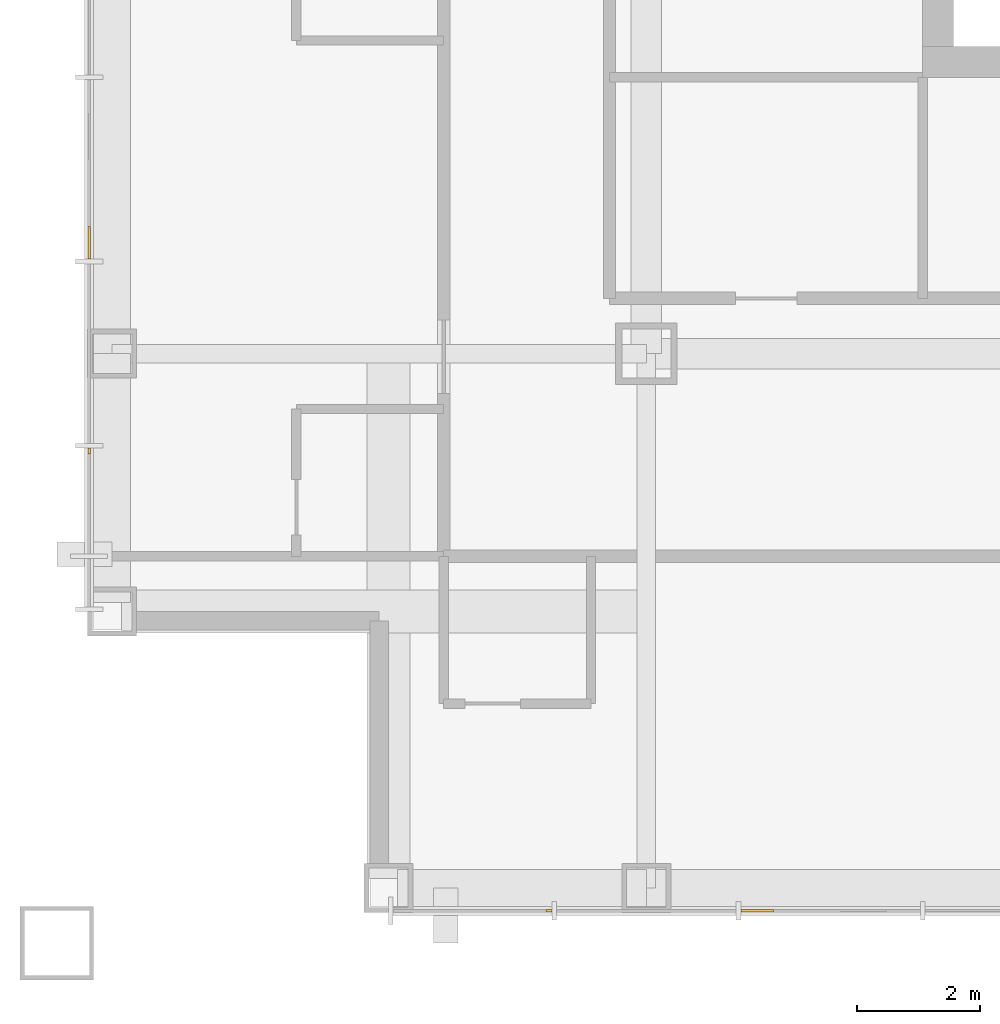
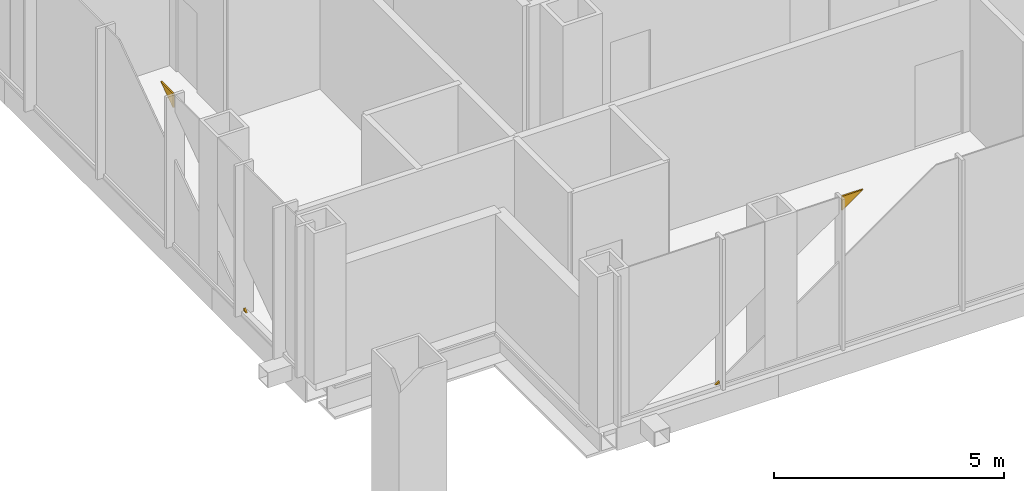
# One storey, part 12 of 15: 4 coverings.
"""IFC4 building model written with IfcOpenShell, lengths in metres."""

import ifcopenshell
import ifcopenshell.guid

model = None  # the IFC model being written
_history = None  # IfcOwnerHistory: only IFC2X3 demands one
_inside = {}  # id of a spatial element -> (the spatial element, [elements in it])
_under = {}  # id of a project, library or spatial element -> (it, [spatial elements below it])
_declared = {}  # id of a project -> (the project, [libraries it declares])
_typed = {}  # id of a type object -> (the type object, [elements of that type])
_made_of = {}  # id of a material, layer set ... -> (it, [elements and type objects made of it])


def new_model(schema):
    """Start an empty IFC model of exactly this schema.

    Asked for "IFC4X3", IfcOpenShell would pick the latest addendum, in which some entities
    have other attributes; the version numbers below select the first issue.
    IFC2X3 requires an IfcOwnerHistory on every rooted entity: one is made here for all.
    """
    global model, _history
    if schema == "IFC4X3":
        model = ifcopenshell.file(schema_version=(4, 3, 0, 0))
    else:
        model = ifcopenshell.file(schema=schema)
    _inside.clear()
    _under.clear()
    _declared.clear()
    _typed.clear()
    _made_of.clear()
    _history = None
    if model.schema == "IFC2X3":
        org = make("IfcOrganization", Name="unknown")
        user = make(
            "IfcPersonAndOrganization",
            ThePerson=make("IfcPerson", FamilyName="unknown"),
            TheOrganization=org,
        )
        app = make(
            "IfcApplication",
            ApplicationDeveloper=org,
            Version="unknown",
            ApplicationFullName="unknown",
            ApplicationIdentifier="unknown",
        )
        _history = make(
            "IfcOwnerHistory",
            OwningUser=user,
            OwningApplication=app,
            ChangeAction="ADDED",
            CreationDate=0,
        )
    return model


def make(cls, **values):
    """One entity of the class cls with the attributes given. An attribute that is None is left unset."""
    return model.create_entity(
        cls, **{name: value for name, value in values.items() if value is not None}
    )


def rooted(cls, **values):
    """An entity with a GlobalId (a new one), such as an element, a storey or a relation."""
    return make(cls, GlobalId=ifcopenshell.guid.new(), OwnerHistory=_history, **values)


def si_unit(unit_type, name, prefix=None):
    """IfcSIUnit, for example si_unit("LENGTHUNIT", "METRE", prefix="MILLI")."""
    return make("IfcSIUnit", UnitType=unit_type, Prefix=prefix, Name=name)


def assignment(units):
    """IfcUnitAssignment: the units of a project."""
    return None if units is None else make("IfcUnitAssignment", Units=units)


def point(xyz):
    """IfcCartesianPoint."""
    return None if xyz is None else make("IfcCartesianPoint", Coordinates=xyz)


def direction(xyz):
    """IfcDirection."""
    return None if xyz is None else make("IfcDirection", DirectionRatios=xyz)


def frame(location, z_axis=None, x_axis=None):
    """IfcAxis2Placement3D, a coordinate frame: its origin and axes. An axis left out is left unset."""
    return make(
        "IfcAxis2Placement3D",
        Location=point(location),
        Axis=direction(z_axis),
        RefDirection=direction(x_axis),
    )


def origin():
    """The frame at (0, 0, 0) with its axes left unset."""
    return frame((0.0, 0.0, 0.0))


def place(relative_to, where):
    """IfcLocalPlacement: puts the frame where relative to a parent placement (None: the world)."""
    return make(
        "IfcLocalPlacement", PlacementRelTo=relative_to, RelativePlacement=where
    )


def context(
    kind, dimensions, precision=None, world=None, true_north=None, identifier=None
):
    """IfcGeometricRepresentationContext, for example the 3D "Model" context."""
    return make(
        "IfcGeometricRepresentationContext",
        ContextIdentifier=identifier,
        ContextType=kind,
        CoordinateSpaceDimension=dimensions,
        Precision=precision,
        WorldCoordinateSystem=world,
        TrueNorth=true_north,
    )


def subcontext(parent, identifier, kind, view, scale=None):
    """IfcGeometricRepresentationSubContext, for example "Body" below "Model"."""
    return make(
        "IfcGeometricRepresentationSubContext",
        ContextIdentifier=identifier,
        ContextType=kind,
        ParentContext=parent,
        TargetScale=scale,
        TargetView=view,
    )


def project(units=None, contexts=None):
    """IfcProject with its units and contexts."""
    return rooted(
        "IfcProject",
        Name="project",
        RepresentationContexts=contexts,
        UnitsInContext=assignment(units),
    )


def spatial(cls, under=None, at=None, **own):
    """A site, building, storey or space (cls), placed at a placement, below another one or the project."""
    s = rooted(cls, ObjectPlacement=at, **own)
    if under is not None:
        _under.setdefault(under.id(), (under, []))[1].append(s)
    return s


def polyline(points):
    """IfcPolyline through the points."""
    return make("IfcPolyline", Points=[point(p) for p in points])


def outline(outer, holes=None, kind="AREA"):
    """IfcArbitraryClosedProfileDef: a profile drawn as a closed curve; with holes, ...WithVoids."""
    if holes is None:
        return make("IfcArbitraryClosedProfileDef", ProfileType=kind, OuterCurve=outer)
    return make(
        "IfcArbitraryProfileDefWithVoids",
        ProfileType=kind,
        OuterCurve=outer,
        InnerCurves=holes,
    )


def extrude(swept, where, along, depth):
    """IfcExtrudedAreaSolid: the profile swept, set in the frame where, extruded along a direction by depth."""
    return make(
        "IfcExtrudedAreaSolid",
        SweptArea=swept,
        Position=where,
        ExtrudedDirection=direction(along),
        Depth=depth,
    )


def shape(context_of_items, identifier, shape_type, items):
    """IfcShapeRepresentation: the items that make up one representation, for example the "Body"."""
    return make(
        "IfcShapeRepresentation",
        ContextOfItems=context_of_items,
        RepresentationIdentifier=identifier,
        RepresentationType=shape_type,
        Items=items,
    )


def material(Name=None, Category=None):
    """IfcMaterial."""
    return make("IfcMaterial", Name=Name, Category=Category)


def layer(
    of_material, thickness, ventilated=None, Name=None, Category=None, Priority=None
):
    """IfcMaterialLayer: one layer of a wall or slab, of a material (None: an air gap)."""
    return make(
        "IfcMaterialLayer",
        Material=of_material,
        LayerThickness=thickness,
        IsVentilated=ventilated,
        Name=Name,
        Category=Category,
        Priority=Priority,
    )


def layer_set(layers, Name=None):
    """IfcMaterialLayerSet."""
    return make("IfcMaterialLayerSet", MaterialLayers=layers, LayerSetName=Name)


def made_of(thing, what):
    """Note that an element or type object is made of a material, layer set ...; save() writes the relation."""
    if what is not None:
        _made_of.setdefault(what.id(), (what, []))[1].append(thing)
    return thing


def type_object(cls, material=None, **own):
    """A type object (cls), such as IfcWallType, which elements share."""
    return made_of(rooted(cls, **own), material)


def element(
    cls,
    number,
    at=None,
    inside=None,
    cuts=None,
    type_object=None,
    material=None,
    context=None,
    identifier="Body",
    shape_type=None,
    held_by="IfcProductDefinitionShape",
    body=None,
    shapes=None,
    **own,
):
    """One element of the class cls, such as IfcWall. Its Tag is "e" and its number.

    at: its placement. inside: the storey or other place that contains it. cuts: it is an
    opening in that element (IfcRelVoidsElement). A single representation is given by context,
    identifier, shape_type and body (its items); several are given by shapes. held_by: the class
    of the entity that holds the representations. save() writes the other relations.
    """
    e = rooted(cls, Tag="e%d" % number, ObjectPlacement=at, **own)
    if body is not None:
        shapes = [shape(context, identifier, shape_type, body)]
    if shapes is not None:
        e.Representation = make(held_by, Representations=shapes)
    if inside is not None:
        _inside.setdefault(inside.id(), (inside, []))[1].append(e)
    if cuts is not None:
        rooted(
            "IfcRelVoidsElement", RelatingBuildingElement=cuts, RelatedOpeningElement=e
        )
    if type_object is not None:
        _typed.setdefault(type_object.id(), (type_object, []))[1].append(e)
    return made_of(e, material)


def aggregate(whole, parts):
    """IfcRelAggregates: a whole, such as a stair, and the parts it consists of."""
    return rooted("IfcRelAggregates", RelatingObject=whole, RelatedObjects=parts)


def save(model, path):
    """Write the relations noted so far, then the file.

    IfcRelAggregates (storeys below a building ...), IfcRelContainedInSpatialStructure (elements
    in a storey), IfcRelDefinesByType, IfcRelAssociatesMaterial and IfcRelDeclares: one each for
    every whole, place, type object, material and project.
    """
    for whole, parts in _under.values():
        aggregate(whole, parts)
    for where, things in _inside.values():
        rooted(
            "IfcRelContainedInSpatialStructure",
            RelatedElements=things,
            RelatingStructure=where,
        )
    for kind, things in _typed.values():
        rooted("IfcRelDefinesByType", RelatedObjects=things, RelatingType=kind)
    for what, things in _made_of.values():
        rooted("IfcRelAssociatesMaterial", RelatedObjects=things, RelatingMaterial=what)
    for by, libraries in _declared.values():
        rooted("IfcRelDeclares", RelatingContext=by, RelatedDefinitions=libraries)
    model.write(path)


model = new_model("IFC4")

# Units and contexts
model_context = context("Model", 3, precision=1e-05, world=origin(), true_north=direction((0.0, 1.0)))
body_context = subcontext(model_context, "Body", "Model", "MODEL_VIEW")
ifc_project = project(units=[si_unit("LENGTHUNIT", "METRE"), si_unit("AREAUNIT", "SQUARE_METRE"), si_unit("VOLUMEUNIT", "CUBIC_METRE"), si_unit("PLANEANGLEUNIT", "RADIAN"), si_unit("MASSUNIT", "GRAM", prefix="KILO")], contexts=[model_context])

# Site, building, storey
site_placement = place(None, origin())
site = spatial("IfcSite", under=ifc_project, at=site_placement, CompositionType="ELEMENT")
building_placement = place(site_placement, origin())
building = spatial("IfcBuilding", under=site, at=building_placement, Name="Malebo Sky Hospital", CompositionType="ELEMENT")
storey_placement = place(building_placement, frame((0.0, 0.0, 181.0)))
storey = spatial("IfcBuildingStorey", under=building, at=storey_placement, Name="L43", CompositionType="ELEMENT", Elevation=181.0)

# Coverings
ifc_material = material(Name="Anodised aluminium, natural silver insulated infill panel", Category="aluminium")
ifc_layer = layer(ifc_material, 0.0400390625)
ifc_layer_set = layer_set([ifc_layer], Name="BRACE INFILL PANEL 40")
covering_type = type_object("IfcCoveringType", Name="BRACE INFILL PANEL 40", PredefinedType="CLADDING", material=ifc_layer_set)
covering_1_placement = place(storey_placement, frame((37.425048828125, 46.912109375, 0.10009765625), z_axis=(0.0, 0.0, 1.0), x_axis=(0.0, 1.0, 0.0)))
element("IfcCovering", 1, at=covering_1_placement, inside=storey, type_object=covering_type, Name="Brace infill panel 2.1", PredefinedType="CLADDING", context=body_context, shape_type="SweptSolid", body=[
    extrude(outline(polyline([(-0.05029296875, 0.0), (0.05029296875, 0.0), (0.05029296875, 0.07080078125), (-0.05029296875, 0.0)])), frame((0.0, 0.02001953125, 0.0), z_axis=(0.0, -1.0, 0.0), x_axis=(1.0, 0.0, 0.0)), (0.0, 0.0, 1.0), 0.0400390625),
])
covering_2_placement = place(storey_placement, frame((37.425048828125, 50.304443359375, 3.614990234375), z_axis=(0.0, 0.0, 1.0), x_axis=(0.0, 1.0, 0.0)))
element("IfcCovering", 2, at=covering_2_placement, inside=storey, type_object=covering_type, Name="Brace infill panel 4.1", PredefinedType="CLADDING", context=body_context, shape_type="SweptSolid", body=[
    extrude(outline(polyline([(-0.26708984375, 0.0), (0.26708984375, 0.375), (-0.26708984375, 0.375), (-0.26708984375, 0.0)])), frame((0.0, 0.02001953125, 0.0), z_axis=(0.0, -1.0, 0.0), x_axis=(1.0, 0.0, 0.0)), (0.0, 0.0, 1.0), 0.0400390625),
])
covering_3_placement = place(storey_placement, frame((48.304443359375, 39.425048828125, 3.614990234375), z_axis=(0.0, 0.0, 1.0), x_axis=(-1.0, 0.0, 0.0)))
element("IfcCovering", 3, at=covering_3_placement, inside=storey, type_object=covering_type, Name="Brace infill panel 11.1", PredefinedType="CLADDING", context=body_context, shape_type="SweptSolid", body=[
    extrude(outline(polyline([(0.26708984375, 0.0), (0.26708984375, 0.375), (-0.26708984375, 0.375), (0.26708984375, 0.0)])), frame((0.0, 0.02001953125, 0.0), z_axis=(0.0, -1.0, 0.0), x_axis=(1.0, 0.0, 0.0)), (0.0, 0.0, 1.0), 0.0400390625),
])
covering_4_placement = place(storey_placement, frame((44.912109375, 39.425048828125, 0.10009765625), z_axis=(0.0, 0.0, 1.0), x_axis=(-1.0, 0.0, 0.0)))
element("IfcCovering", 4, at=covering_4_placement, inside=storey, type_object=covering_type, Name="Brace infill panel 13.1", PredefinedType="CLADDING", context=body_context, shape_type="SweptSolid", body=[
    extrude(outline(polyline([(-0.05029296875, 0.0), (0.05029296875, 0.0), (-0.05029296875, 0.07080078125), (-0.05029296875, 0.0)])), frame((0.0, 0.02001953125, 0.0), z_axis=(0.0, -1.0, 0.0), x_axis=(1.0, 0.0, 0.0)), (0.0, 0.0, 1.0), 0.0400390625),
])

save(model, "model.ifc")
